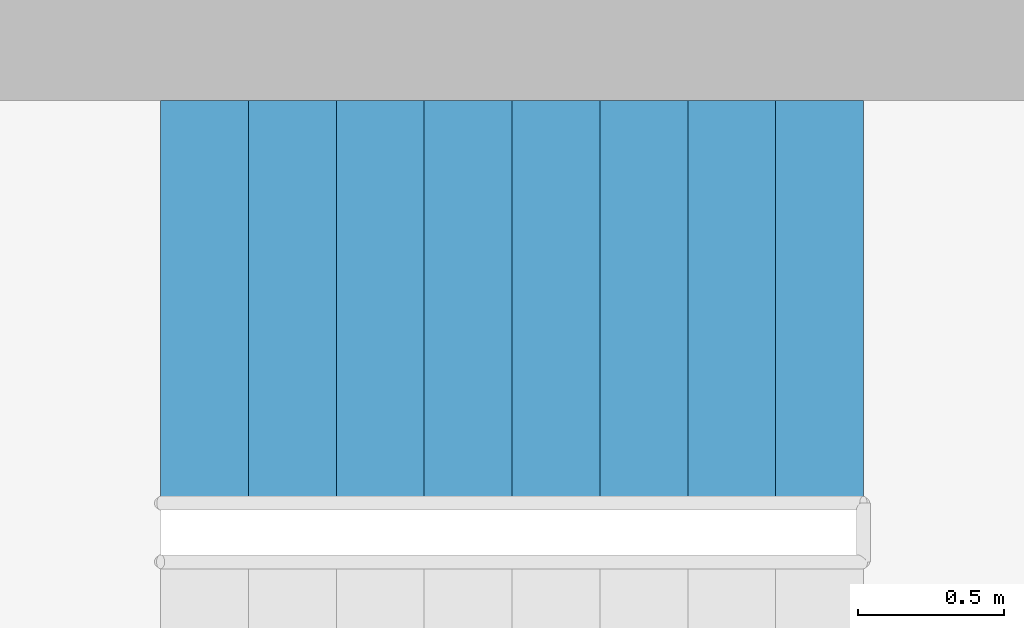
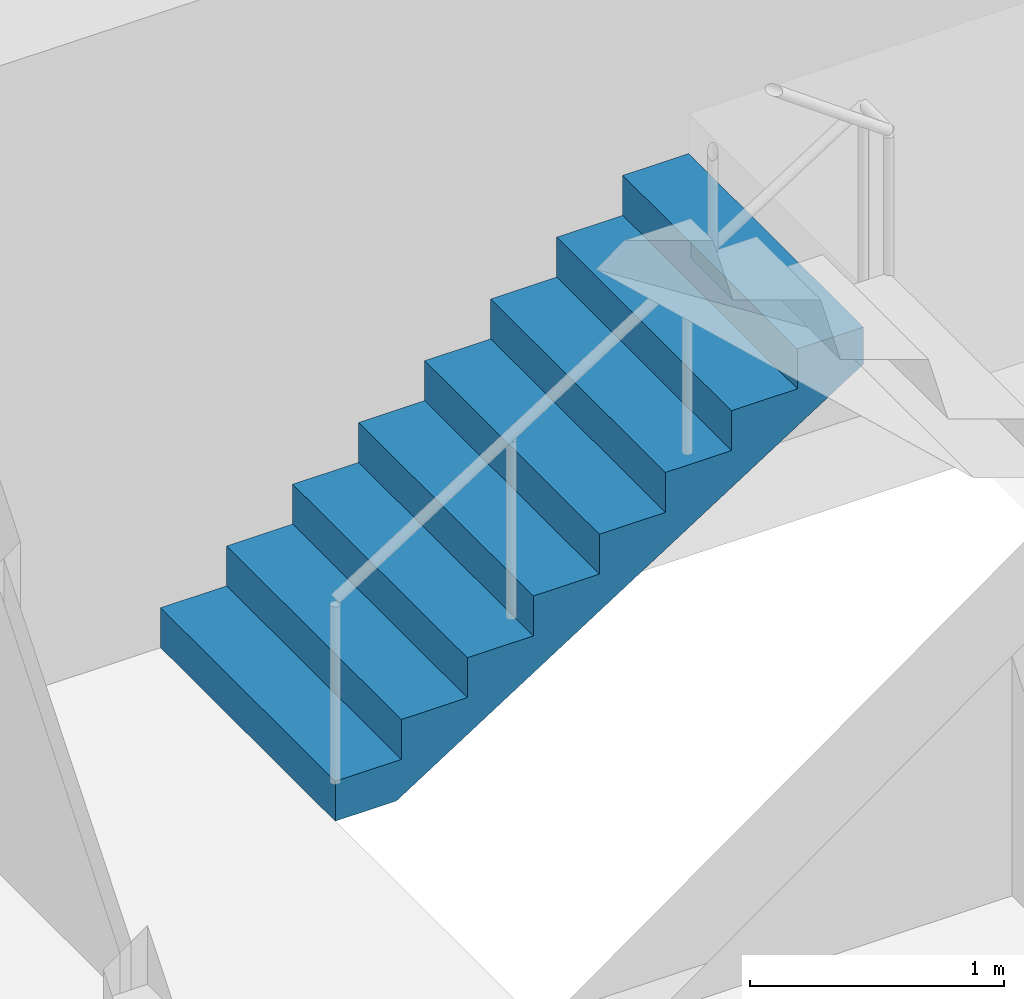
# One storey, part 11 of 13: 1 stair flight, 1 element without a shape of its own.
"""IFC4 building model written with IfcOpenShell, lengths in metres."""

from ifc_helpers import new_model, si_unit, direction, frame, origin, place, context, subcontext, project, spatial, polyline, outline, extrude, material, type_object, element, aggregate, save


model = new_model("IFC4")

# Units and contexts
model_context = context("Model", 3, precision=1e-05, world=origin(), true_north=direction((0.0, 1.0)))
body_context = subcontext(model_context, "Body", "Model", "MODEL_VIEW")
ifc_project = project(units=[si_unit("LENGTHUNIT", "METRE"), si_unit("AREAUNIT", "SQUARE_METRE"), si_unit("VOLUMEUNIT", "CUBIC_METRE"), si_unit("PLANEANGLEUNIT", "RADIAN"), si_unit("MASSUNIT", "GRAM", prefix="KILO")], contexts=[model_context])

# Site, building, storey
site_placement = place(None, origin())
site = spatial("IfcSite", under=ifc_project, at=site_placement, CompositionType="ELEMENT")
building_placement = place(site_placement, origin())
building = spatial("IfcBuilding", under=site, at=building_placement, Name="Kitamizu Gate Tower and Museum", CompositionType="ELEMENT")
storey_placement = place(building_placement, frame((0.0, 0.0, 252.449951171875)))
storey = spatial("IfcBuildingStorey", under=building, at=storey_placement, Name="L68", CompositionType="ELEMENT", Elevation=252.449951171875)

# Stair, stair flight
ifc_material_1 = material(Name="Concrete Fc42", Category="concrete")
stair_type = type_object("IfcStairType", Name="Exit stair 1375 wide 192 rise 300 going", PredefinedType="HALF_TURN_STAIR", material=ifc_material_1)
stair_placement = place(storey_placement, origin())
stair = element("IfcStair", 1, at=stair_placement, inside=storey, type_object=stair_type, Name="Exit stair ST4", PredefinedType="HALF_TURN_STAIR")
ifc_material_2 = material(Name="Concrete Fc42", Category="concrete")
stair_flight_type = type_object("IfcStairFlightType", Name="Stair flight 1375 wide 192 rise 300 going", PredefinedType="STRAIGHT", material=ifc_material_2)
stair_flight_placement = place(storey_placement, frame((54.449951171875, 37.362548828125, 0.0), z_axis=(0.0, 0.0, 1.0), x_axis=(1.0, 0.0, 0.0)))
stair_flight = element("IfcStairFlight", 2, at=stair_flight_placement, type_object=stair_flight_type, Name="ST4 flight 1", NumberOfRisers=9, NumberOfTreads=8, PredefinedType="STRAIGHT", RiserHeight=0.191666667, TreadLength=0.3, context=body_context, shape_type="SweptSolid", body=[
    extrude(outline(polyline([(0.0, 0.0), (0.0, 0.191650390625), (0.300048828125, 0.191650390625), (0.300048828125, 0.38330078125), (0.60009765625, 0.38330078125), (0.60009765625, 0.574951171875), (0.89990234375, 0.574951171875), (0.89990234375, 0.7666015625), (1.199951171875, 0.7666015625), (1.199951171875, 0.958251953125), (1.5, 0.958251953125), (1.5, 1.14990234375), (1.800048828125, 1.14990234375), (1.800048828125, 1.341552734375), (2.10009765625, 1.341552734375), (2.10009765625, 1.533447265625), (2.39990234375, 1.533447265625), (2.39990234375, 1.72509765625), (2.39990234375, 1.35546875), (0.2783203125, 0.0), (0.0, 0.0)])), frame((0.0, 0.6875, 0.0), z_axis=(0.0, -1.0, 0.0), x_axis=(1.0, 0.0, 0.0)), (0.0, 0.0, 1.0), 1.375),
])
aggregate(stair, [stair_flight])

save(model, "model.ifc")
